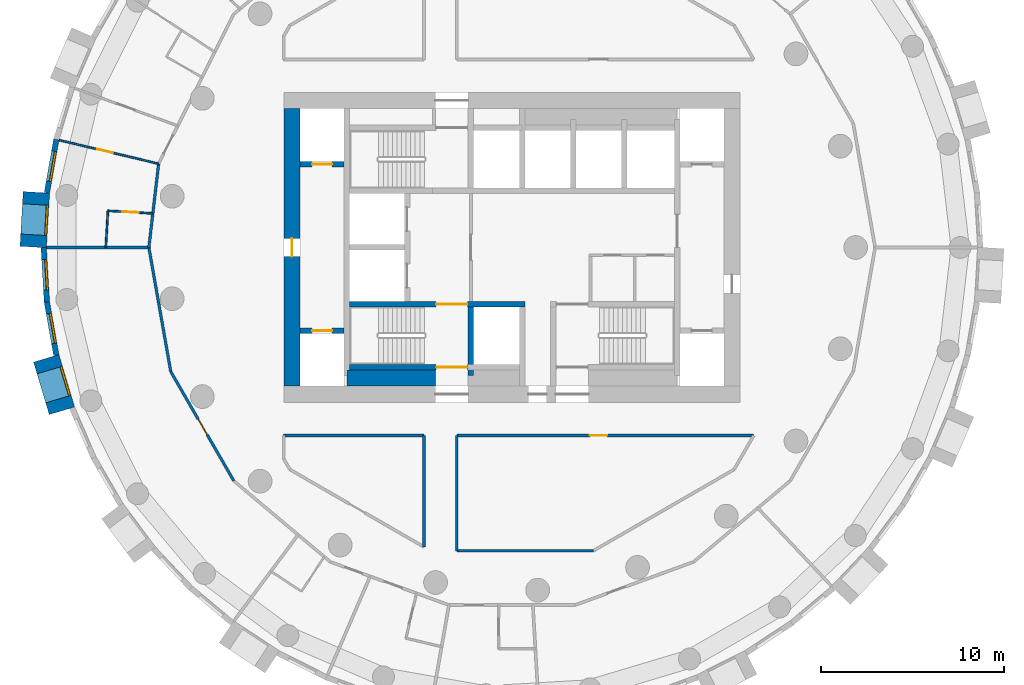
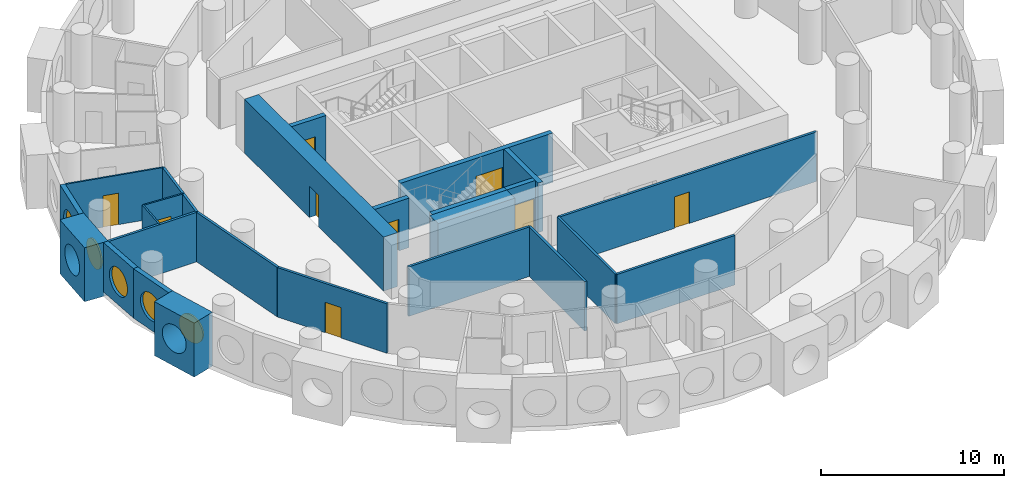
# One storey, part 3 of 9: 25 walls, 9 doors, 5 windows, 14 openings.
"""IFC4 building model written with IfcOpenShell, lengths in metres."""

from ifc_helpers import new_model, si_unit, direction, frame, frame_2d, origin, origin_2d, place, context, subcontext, project, spatial, rectangle, circle, extrude, material, layer, layer_set, type_object, element, fill, save


model = new_model("IFC4")

# Units and contexts
model_context = context("Model", 3, precision=1e-05, world=origin(), true_north=direction((0.0, 1.0)))
body_context = subcontext(model_context, "Body", "Model", "MODEL_VIEW")
ifc_project = project(units=[si_unit("LENGTHUNIT", "METRE"), si_unit("AREAUNIT", "SQUARE_METRE"), si_unit("VOLUMEUNIT", "CUBIC_METRE"), si_unit("PLANEANGLEUNIT", "RADIAN"), si_unit("MASSUNIT", "GRAM", prefix="KILO")], contexts=[model_context])

# Site, building, storey
site_placement = place(None, origin())
site = spatial("IfcSite", under=ifc_project, at=site_placement, CompositionType="ELEMENT")
building_placement = place(site_placement, origin())
building = spatial("IfcBuilding", under=site, at=building_placement, Name="Tracery Tower", CompositionType="ELEMENT")
storey_placement = place(building_placement, frame((0.0, 0.0, 187.199951171875)))
storey = spatial("IfcBuildingStorey", under=building, at=storey_placement, Name="L48", CompositionType="ELEMENT", Elevation=187.199951171875)

# Wall
ifc_material_1 = material(Name="Concrete C50/60", Category="concrete")
ifc_layer_1 = layer(ifc_material_1, 0.89990234375)
ifc_layer_set_1 = layer_set([ifc_layer_1], Name="Core strip wall 900 C50")
wall_type_1 = type_object("IfcWallType", Name="Core strip wall 900 C50", PredefinedType="SOLIDWALL", material=ifc_layer_set_1)
wall_1_placement = place(storey_placement, frame((-9.050048828125, -7.14990234375, 0.0), z_axis=(0.0, 0.0, 1.0), x_axis=(1.0, 0.0, 0.0)))
element("IfcWall", 1, at=wall_1_placement, inside=storey, type_object=wall_type_1, Name="L48 F thick S W", PredefinedType="SOLIDWALL", context=body_context, shape_type="SweptSolid", body=[
    extrude(rectangle(XDim=4.85009765625, YDim=0.89990234375, at=frame_2d((2.425048828125, 0.0))), origin(), (0.0, 0.0, 1.0), 3.300048828125),
])

# Wall, opening, door
ifc_material_2 = material(Name="Concrete C50/60", Category="concrete")
ifc_layer_2 = layer(ifc_material_2, 0.89990234375)
ifc_layer_set_2 = layer_set([ifc_layer_2], Name="Core wall 900 C50")
wall_type_2 = type_object("IfcWallType", Name="Core wall 900 C50", PredefinedType="SOLIDWALL", material=ifc_layer_set_2)
wall_2_placement = place(storey_placement, frame((-12.050048828125, -7.60009765625, 0.0), z_axis=(0.0, 0.0, 1.0), x_axis=(0.0, 1.0, 0.0)))
wall_2 = element("IfcWall", 2, at=wall_2_placement, inside=storey, type_object=wall_type_2, Name="L48 outer W", PredefinedType="SOLIDWALL", context=body_context, shape_type="SweptSolid", body=[
    extrude(rectangle(XDim=15.2001953125, YDim=0.89990234375, at=frame_2d((7.60009765625, 0.0))), origin(), (0.0, 0.0, 1.0), 3.60009765625),
])
opening_1_placement = place(wall_2_placement, frame((7.10009765625, 0.0, 0.0)))
opening_1 = element("IfcOpeningElement", 3, at=opening_1_placement, cuts=wall_2, Name="Opening KD18", PredefinedType="OPENING", context=body_context, shape_type="SweptSolid", body=[
    extrude(rectangle(XDim=1.0, YDim=2.10009765625, at=frame_2d((0.5, 1.050048828125))), frame((0.0, 0.449951171875, 0.0), z_axis=(0.0, -1.0, 0.0), x_axis=(1.0, 0.0, 0.0)), (0.0, 0.0, 1.0), 0.89990234375),
])
ifc_material_3 = material(Name="Steel fire door", Category="steel")
door_type_1 = type_object("IfcDoorType", Name="Core exit door 1000", OperationType="NOTDEFINED", PredefinedType="DOOR", material=ifc_material_3)
door_1_placement = place(opening_1_placement, origin())
door_1 = element("IfcDoor", 4, at=door_1_placement, inside=storey, type_object=door_type_1, Name="Core exit door", OperationType="DOUBLE_DOOR_SINGLE_SWING", OverallHeight=2.10009765625, OverallWidth=1.0, PredefinedType="DOOR", context=body_context, shape_type="SweptSolid", body=[
    extrude(rectangle(XDim=1.0, YDim=2.10009765625, at=frame_2d((0.5, 1.050048828125))), frame((0.0, 0.02490234375, 0.0), z_axis=(0.0, -1.0, 0.0), x_axis=(1.0, 0.0, 0.0)), (0.0, 0.0, 1.0), 0.050048828125),
])
fill(opening_1, door_1)

# Wall, opening, window
ifc_material_4 = material(Name="Precast concrete C50/60", Category="concrete")
ifc_layer_3 = layer(ifc_material_4, 1.449951171875)
ifc_layer_set_3 = layer_set([ifc_layer_3], Name="Deep-set bay unit 3000 x 3600, slab edge 300")
wall_type_3 = type_object("IfcWallType", Name="Deep-set bay unit 3000 x 3600, slab edge 300", PredefinedType="ELEMENTEDWALL", material=ifc_layer_set_3)
wall_3_placement = place(storey_placement, frame((-26.047607421875, 3.01953125, -0.300048828125), z_axis=(0.0, 0.0, 1.0), x_axis=(-0.058106596105, -0.998310384344, 0.0)))
wall_3 = element("IfcWall", 5, at=wall_3_placement, inside=storey, type_object=wall_type_3, Name="Deep-set bay unit 27 at L48", PredefinedType="ELEMENTEDWALL", context=body_context, shape_type="SweptSolid", body=[
    extrude(rectangle(XDim=3.0, YDim=1.449951171875, at=frame_2d((1.5, 0.0))), origin(), (0.0, 0.0, 1.0), 3.60009765625),
])
opening_2_placement = place(wall_3_placement, frame((1.5, 0.0, 1.85009765625)))
opening_2 = element("IfcOpeningElement", 6, at=opening_2_placement, cuts=wall_3, Name="Opening WN1", PredefinedType="OPENING", context=body_context, shape_type="SweptSolid", body=[
    extrude(circle(Radius=0.9000244140625, at=origin_2d()), frame((0.0, 0.73486328125, 0.0), z_axis=(0.0, -1.0, 0.0), x_axis=(1.0, 0.0, 0.0)), (0.0, 0.0, 1.0), 1.469970703125),
])
ifc_material_5 = material(Name="Aluminium frame with tinted double glazing", Category="aluminium")
window_type = type_object("IfcWindowType", Name="Round window 1800", PartitioningType="SINGLE_PANEL", PredefinedType="WINDOW", material=ifc_material_5)
window_1_placement = place(opening_2_placement, origin())
window_1 = element("IfcWindow", 7, at=window_1_placement, inside=storey, type_object=window_type, Name="Round window 27 at L48", OverallHeight=1.800048828125, OverallWidth=1.800048828125, PartitioningType="SINGLE_PANEL", PredefinedType="WINDOW", context=body_context, shape_type="SweptSolid", body=[
    extrude(circle(Radius=0.9000244140625, at=origin_2d()), frame((0.0, 0.69482421875, 0.0), z_axis=(0.0, -1.0, 0.0), x_axis=(1.0, 0.0, 0.0)), (0.0, 0.0, 1.0), 0.10009765625),
])
fill(opening_2, window_1)

wall_4_placement = place(storey_placement, frame((-25.509521484375, -6.0712890625, -0.300048828125), z_axis=(0.0, 0.0, 1.0), x_axis=(0.286780420304, -0.957996341606, 0.0)))
wall_4 = element("IfcWall", 8, at=wall_4_placement, inside=storey, type_object=wall_type_3, Name="Deep-set bay unit 30 at L48", PredefinedType="ELEMENTEDWALL", context=body_context, shape_type="SweptSolid", body=[
    extrude(rectangle(XDim=3.0, YDim=1.449951171875, at=frame_2d((1.5, 0.0))), origin(), (0.0, 0.0, 1.0), 3.60009765625),
])
opening_3_placement = place(wall_4_placement, frame((1.5, 0.0, 1.85009765625)))
opening_3 = element("IfcOpeningElement", 9, at=opening_3_placement, cuts=wall_4, Name="Opening WN1", PredefinedType="OPENING", context=body_context, shape_type="SweptSolid", body=[
    extrude(circle(Radius=0.9000244140625, at=origin_2d()), frame((0.0, 0.73486328125, 0.0), z_axis=(0.0, -1.0, 0.0), x_axis=(1.0, 0.0, 0.0)), (0.0, 0.0, 1.0), 1.469970703125),
])
window_2_placement = place(opening_3_placement, origin())
window_2 = element("IfcWindow", 10, at=window_2_placement, inside=storey, type_object=window_type, Name="Round window 30 at L48", OverallHeight=1.800048828125, OverallWidth=1.800048828125, PartitioningType="SINGLE_PANEL", PredefinedType="WINDOW", context=body_context, shape_type="SweptSolid", body=[
    extrude(circle(Radius=0.9000244140625, at=origin_2d()), frame((0.0, 0.69482421875, 0.0), z_axis=(0.0, -1.0, 0.0), x_axis=(1.0, 0.0, 0.0)), (0.0, 0.0, 1.0), 0.10009765625),
])
fill(opening_3, window_2)

ifc_material_6 = material(Name="Precast concrete C50/60", Category="concrete")
ifc_layer_4 = layer(ifc_material_6, 0.300048828125)
ifc_layer_set_4 = layer_set([ifc_layer_4], Name="Facade panel 3000 x 3300")
wall_type_4 = type_object("IfcWallType", Name="Facade panel 3000 x 3300", PredefinedType="SOLIDWALL", material=ifc_layer_set_4)
wall_5_placement = place(storey_placement, frame((-24.9560546875, 5.914794921875, 0.0), z_axis=(0.0, 0.0, 1.0), x_axis=(-0.173686952598, -0.984800915159, 0.0)))
wall_5 = element("IfcWall", 11, at=wall_5_placement, inside=storey, type_object=wall_type_4, Name="Facade panel 26 at L48", PredefinedType="SOLIDWALL", context=body_context, shape_type="SweptSolid", body=[
    extrude(rectangle(XDim=2.972900390625, YDim=0.300048828125, at=frame_2d((1.486328125, 0.0))), origin(), (0.0, 0.0, 1.0), 3.300048828125),
])
opening_4_placement = place(wall_5_placement, frame((1.486328125, 0.0, 1.5498046875)))
opening_4 = element("IfcOpeningElement", 12, at=opening_4_placement, cuts=wall_5, Name="Opening WN1", PredefinedType="OPENING", context=body_context, shape_type="SweptSolid", body=[
    extrude(circle(Radius=0.9000244140625, at=origin_2d()), frame((0.0, 0.159912109375, 0.0), z_axis=(0.0, -1.0, 0.0), x_axis=(1.0, 0.0, 0.0)), (0.0, 0.0, 1.0), 0.320068359375),
])
window_3_placement = place(opening_4_placement, origin())
window_3 = element("IfcWindow", 13, at=window_3_placement, inside=storey, type_object=window_type, Name="Round window 26 at L48", OverallHeight=1.800048828125, OverallWidth=1.800048828125, PartitioningType="SINGLE_PANEL", PredefinedType="WINDOW", context=body_context, shape_type="SweptSolid", body=[
    extrude(circle(Radius=0.9000244140625, at=origin_2d()), frame((0.0, 0.1201171875, 0.0), z_axis=(0.0, -1.0, 0.0), x_axis=(1.0, 0.0, 0.0)), (0.0, 0.0, 1.0), 0.10009765625),
])
fill(opening_4, window_3)

wall_6_placement = place(storey_placement, frame((-25.64697265625, -0.009521484375, 0.0), z_axis=(0.0, 0.0, 1.0), x_axis=(0.058139540521, -0.998308466271, 0.0)))
wall_6 = element("IfcWall", 14, at=wall_6_placement, inside=storey, type_object=wall_type_4, Name="Facade panel 28 at L48", PredefinedType="SOLIDWALL", context=body_context, shape_type="SweptSolid", body=[
    extrude(rectangle(XDim=2.97314453125, YDim=0.300048828125, at=frame_2d((1.486572265625, 0.0))), origin(), (0.0, 0.0, 1.0), 3.300048828125),
])
opening_5_placement = place(wall_6_placement, frame((1.486328125, 0.0, 1.5498046875)))
opening_5 = element("IfcOpeningElement", 15, at=opening_5_placement, cuts=wall_6, Name="Opening WN1", PredefinedType="OPENING", context=body_context, shape_type="SweptSolid", body=[
    extrude(circle(Radius=0.9000244140625, at=origin_2d()), frame((0.0, 0.159912109375, 0.0), z_axis=(0.0, -1.0, 0.0), x_axis=(1.0, 0.0, 0.0)), (0.0, 0.0, 1.0), 0.320068359375),
])
window_4_placement = place(opening_5_placement, origin())
window_4 = element("IfcWindow", 16, at=window_4_placement, inside=storey, type_object=window_type, Name="Round window 28 at L48", OverallHeight=1.800048828125, OverallWidth=1.800048828125, PartitioningType="SINGLE_PANEL", PredefinedType="WINDOW", context=body_context, shape_type="SweptSolid", body=[
    extrude(circle(Radius=0.9000244140625, at=origin_2d()), frame((0.0, 0.1201171875, 0.0), z_axis=(0.0, -1.0, 0.0), x_axis=(1.0, 0.0, 0.0)), (0.0, 0.0, 1.0), 0.10009765625),
])
fill(opening_5, window_4)

wall_7_placement = place(storey_placement, frame((-25.47412109375, -2.9775390625, 0.0), z_axis=(0.0, 0.0, 1.0), x_axis=(0.173686952598, -0.984800915159, 0.0)))
wall_7 = element("IfcWall", 17, at=wall_7_placement, inside=storey, type_object=wall_type_4, Name="Facade panel 29 at L48", PredefinedType="SOLIDWALL", context=body_context, shape_type="SweptSolid", body=[
    extrude(rectangle(XDim=2.972900390625, YDim=0.300048828125, at=frame_2d((1.486328125, 0.0))), origin(), (0.0, 0.0, 1.0), 3.300048828125),
])
opening_6_placement = place(wall_7_placement, frame((1.486328125, 0.0, 1.5498046875)))
opening_6 = element("IfcOpeningElement", 18, at=opening_6_placement, cuts=wall_7, Name="Opening WN1", PredefinedType="OPENING", context=body_context, shape_type="SweptSolid", body=[
    extrude(circle(Radius=0.9000244140625, at=origin_2d()), frame((0.0, 0.159912109375, 0.0), z_axis=(0.0, -1.0, 0.0), x_axis=(1.0, 0.0, 0.0)), (0.0, 0.0, 1.0), 0.320068359375),
])
window_5_placement = place(opening_6_placement, origin())
window_5 = element("IfcWindow", 19, at=window_5_placement, inside=storey, type_object=window_type, Name="Round window 29 at L48", OverallHeight=1.800048828125, OverallWidth=1.800048828125, PartitioningType="SINGLE_PANEL", PredefinedType="WINDOW", context=body_context, shape_type="SweptSolid", body=[
    extrude(circle(Radius=0.9000244140625, at=origin_2d()), frame((0.0, 0.1201171875, 0.0), z_axis=(0.0, -1.0, 0.0), x_axis=(1.0, 0.0, 0.0)), (0.0, 0.0, 1.0), 0.10009765625),
])
fill(opening_6, window_5)

# Wall, opening, door
ifc_material_7 = material(Name="Plasterboard on steel studs", Category="steel")
ifc_layer_5 = layer(ifc_material_7, 0.10009765625)
ifc_layer_set_5 = layer_set([ifc_layer_5], Name="Partition 100 stud")
wall_type_5 = type_object("IfcWallType", Name="Partition 100 stud", PredefinedType="PARTITIONING", material=ifc_layer_set_5)
wall_8_placement = place(storey_placement, frame((-24.81005859375, 5.8798828125, 0.0), z_axis=(0.0, 0.0, 1.0), x_axis=(0.973029918752, -0.230678948353, 0.0)))
wall_8 = element("IfcWall", 20, at=wall_8_placement, inside=storey, type_object=wall_type_5, Name="Stud partition RB6-050", PredefinedType="PARTITIONING", context=body_context, shape_type="SweptSolid", body=[
    extrude(rectangle(XDim=5.609375, YDim=0.10009765625, at=frame_2d((2.8046875, 0.0))), origin(), (0.0, 0.0, 1.0), 3.300048828125),
])
opening_7_placement = place(wall_8_placement, frame((2.139404296875, 0.0, 0.0)))
opening_7 = element("IfcOpeningElement", 21, at=opening_7_placement, cuts=wall_8, Name="Opening RB6-15", PredefinedType="OPENING", context=body_context, shape_type="SweptSolid", body=[
    extrude(rectangle(XDim=0.89990234375, YDim=2.10009765625, at=frame_2d((0.449951171875, 1.050048828125))), frame((0.0, 0.050048828125, 0.0), z_axis=(0.0, -1.0, 0.0), x_axis=(1.0, 0.0, 0.0)), (0.0, 0.0, 1.0), 0.10009765625),
])
ifc_material_8 = material(Name="Timber door leaf", Category="wood")
door_type_2 = type_object("IfcDoorType", Name="Door bedroom 900", OperationType="NOTDEFINED", PredefinedType="DOOR", material=ifc_material_8)
door_2_placement = place(opening_7_placement, origin())
door_2 = element("IfcDoor", 22, at=door_2_placement, inside=storey, type_object=door_type_2, Name="Bedroom door RB6-15", OperationType="SINGLE_SWING_RIGHT", OverallHeight=2.10009765625, OverallWidth=0.89990234375, PredefinedType="DOOR", context=body_context, shape_type="SweptSolid", body=[
    extrude(rectangle(XDim=0.89990234375, YDim=2.10009765625, at=frame_2d((0.449951171875, 1.050048828125))), frame((0.0, 0.02490234375, 0.0), z_axis=(0.0, -1.0, 0.0), x_axis=(1.0, 0.0, 0.0)), (0.0, 0.0, 1.0), 0.050048828125),
])
fill(opening_7, door_2)

ifc_material_9 = material(Name="Plasterboard on steel studs", Category="steel")
ifc_layer_6 = layer(ifc_material_9, 0.10009765625)
ifc_layer_set_6 = layer_set([ifc_layer_6], Name="Partition 100 wet wall")
wall_type_6 = type_object("IfcWallType", Name="Partition 100 wet wall", PredefinedType="PARTITIONING", material=ifc_layer_set_6)
wall_9_placement = place(storey_placement, frame((-22.1298828125, 2.008056640625, 0.0), z_axis=(0.0, 0.0, 1.0), x_axis=(0.998290052933, -0.058454856216, 0.0)))
wall_9 = element("IfcWall", 23, at=wall_9_placement, inside=storey, type_object=wall_type_6, Name="Wet wall RB6-054", PredefinedType="PARTITIONING", context=body_context, shape_type="SweptSolid", body=[
    extrude(rectangle(XDim=2.464111328125, YDim=0.10009765625, at=frame_2d((1.23193359375, 0.0))), origin(), (0.0, 0.0, 1.0), 3.300048828125),
])
opening_8_placement = place(wall_9_placement, frame((0.7822265625, 0.0, 0.0)))
opening_8 = element("IfcOpeningElement", 24, at=opening_8_placement, cuts=wall_9, Name="Opening RB6-16", PredefinedType="OPENING", context=body_context, shape_type="SweptSolid", body=[
    extrude(rectangle(XDim=0.89990234375, YDim=2.0400390625, at=frame_2d((0.449951171875, 1.02001953125))), frame((0.0, 0.050048828125, 0.0), z_axis=(0.0, -1.0, 0.0), x_axis=(1.0, 0.0, 0.0)), (0.0, 0.0, 1.0), 0.10009765625),
])
ifc_material_10 = material(Name="Timber door leaf", Category="wood")
door_type_3 = type_object("IfcDoorType", Name="Door en-suite 900", OperationType="NOTDEFINED", PredefinedType="DOOR", material=ifc_material_10)
door_3_placement = place(opening_8_placement, origin())
door_3 = element("IfcDoor", 25, at=door_3_placement, inside=storey, type_object=door_type_3, Name="En-suite door RB6-16", OperationType="SINGLE_SWING_LEFT", OverallHeight=2.0400390625, OverallWidth=0.89990234375, PredefinedType="DOOR", context=body_context, shape_type="SweptSolid", body=[
    extrude(rectangle(XDim=0.89990234375, YDim=2.0400390625, at=frame_2d((0.449951171875, 1.02001953125))), frame((0.0, 0.02490234375, 0.0), z_axis=(0.0, -1.0, 0.0), x_axis=(1.0, 0.0, 0.0)), (0.0, 0.0, 1.0), 0.050048828125),
])
fill(opening_8, door_3)

# Walls
wall_10_placement = place(storey_placement, frame((-22.2470703125, 0.0, 0.0), z_axis=(0.0, 0.0, 1.0), x_axis=(0.058259538708, 0.998301470574, 0.0)))
element("IfcWall", 26, at=wall_10_placement, inside=storey, type_object=wall_type_6, Name="Wet wall RB6-055", PredefinedType="PARTITIONING", context=body_context, shape_type="SweptSolid", body=[
    extrude(rectangle(XDim=2.011474609375, YDim=0.10009765625, at=frame_2d((1.005859375, 0.0))), origin(), (0.0, 0.0, 1.0), 3.300048828125),
])
ifc_material_11 = material(Name="Plasterboard on steel studs", Category="steel")
ifc_layer_7 = layer(ifc_material_11, 0.14990234375)
ifc_layer_set_7 = layer_set([ifc_layer_7], Name="Partition 150 acoustic unit wall")
wall_type_7 = type_object("IfcWallType", Name="Partition 150 acoustic unit wall", PredefinedType="PARTITIONING", material=ifc_layer_set_7)
wall_11_placement = place(storey_placement, frame((-25.4970703125, 0.0, 0.0), z_axis=(0.0, 0.0, 1.0), x_axis=(1.0, 0.0, 0.0)))
element("IfcWall", 27, at=wall_11_placement, inside=storey, type_object=wall_type_7, Name="Unit wall RB6-056", PredefinedType="PARTITIONING", context=body_context, shape_type="SweptSolid", body=[
    extrude(rectangle(XDim=5.609130859375, YDim=0.14990234375, at=frame_2d((2.8046875, 0.0))), origin(), (0.0, 0.0, 1.0), 3.300048828125),
])
ifc_material_12 = material(Name="Plasterboard on steel studs", Category="steel")
ifc_layer_8 = layer(ifc_material_12, 0.14990234375)
ifc_layer_set_8 = layer_set([ifc_layer_8], Name="Partition 150 corridor wall")
wall_type_8 = type_object("IfcWallType", Name="Partition 150 corridor wall", PredefinedType="PARTITIONING", material=ifc_layer_set_8)
wall_12_placement = place(storey_placement, frame((-12.50390625, -10.300048828125, 0.0), z_axis=(0.0, 0.0, 1.0), x_axis=(1.0, 0.0, 0.0)))
element("IfcWall", 28, at=wall_12_placement, inside=storey, type_object=wall_type_8, Name="Corridor wall RB6-003", PredefinedType="PARTITIONING", context=body_context, shape_type="SweptSolid", body=[
    extrude(rectangle(XDim=7.68701171875, YDim=0.14990234375, at=frame_2d((3.843505859375, 0.0))), origin(), (0.0, 0.0, 1.0), 3.300048828125),
])

# Wall, opening, door
wall_13_placement = place(storey_placement, frame((-3.02490234375, -10.300048828125, 0.0), z_axis=(0.0, 0.0, 1.0), x_axis=(1.0, 0.0, 0.0)))
wall_13 = element("IfcWall", 29, at=wall_13_placement, inside=storey, type_object=wall_type_8, Name="Corridor wall RB6-004", PredefinedType="PARTITIONING", context=body_context, shape_type="SweptSolid", body=[
    extrude(rectangle(XDim=16.261962890625, YDim=0.14990234375, at=frame_2d((8.130859375, 0.0))), origin(), (0.0, 0.0, 1.0), 3.300048828125),
])
opening_9_placement = place(wall_13_placement, frame((7.287109375, 0.0, 0.0)))
opening_9 = element("IfcOpeningElement", 30, at=opening_9_placement, cuts=wall_13, Name="Opening RB6-04", PredefinedType="OPENING", context=body_context, shape_type="SweptSolid", body=[
    extrude(rectangle(XDim=0.949951171875, YDim=2.10009765625, at=frame_2d((0.47509765625, 1.050048828125))), frame((0.0, 0.074951171875, 0.0), z_axis=(0.0, -1.0, 0.0), x_axis=(1.0, 0.0, 0.0)), (0.0, 0.0, 1.0), 0.14990234375),
])
ifc_material_13 = material(Name="Timber door leaf", Category="wood")
door_type_4 = type_object("IfcDoorType", Name="Door store 950", OperationType="NOTDEFINED", PredefinedType="DOOR", material=ifc_material_13)
door_4_placement = place(opening_9_placement, origin())
door_4 = element("IfcDoor", 31, at=door_4_placement, inside=storey, type_object=door_type_4, Name="Store door RB6-04", OperationType="SINGLE_SWING_RIGHT", OverallHeight=2.10009765625, OverallWidth=0.949951171875, PredefinedType="DOOR", context=body_context, shape_type="SweptSolid", body=[
    extrude(rectangle(XDim=0.949951171875, YDim=2.10009765625, at=frame_2d((0.47509765625, 1.050048828125))), frame((0.0, 0.02490234375, 0.0), z_axis=(0.0, -1.0, 0.0), x_axis=(1.0, 0.0, 0.0)), (0.0, 0.0, 1.0), 0.050048828125),
])
fill(opening_9, door_4)

# Wall
wall_14_placement = place(storey_placement, frame((-19.888671875, 0.0, 0.0), z_axis=(0.0, 0.0, 1.0), x_axis=(0.116221510549, 0.993223318537, 0.0)))
element("IfcWall", 32, at=wall_14_placement, inside=storey, type_object=wall_type_8, Name="Corridor wall RB6-027", PredefinedType="PARTITIONING", context=body_context, shape_type="SweptSolid", body=[
    extrude(rectangle(XDim=4.6171875, YDim=0.14990234375, at=frame_2d((2.30859375, 0.0))), origin(), (0.0, 0.0, 1.0), 3.300048828125),
])

# Wall, opening, door
wall_15_placement = place(storey_placement, frame((-18.68798828125, -6.802001953125, 0.0), z_axis=(0.0, 0.0, 1.0), x_axis=(0.499914202267, -0.866074933462, 0.0)))
wall_15 = element("IfcWall", 33, at=wall_15_placement, inside=storey, type_object=wall_type_8, Name="Corridor wall RB6-029", PredefinedType="PARTITIONING", context=body_context, shape_type="SweptSolid", body=[
    extrude(rectangle(XDim=6.906982421875, YDim=0.14990234375, at=frame_2d((3.45361328125, 0.0))), origin(), (0.0, 0.0, 1.0), 3.300048828125),
])
opening_10_placement = place(wall_15_placement, frame((3.003173828125, 0.0, 0.0)))
opening_10 = element("IfcOpeningElement", 34, at=opening_10_placement, cuts=wall_15, Name="Opening RB6-17", PredefinedType="OPENING", context=body_context, shape_type="SweptSolid", body=[
    extrude(rectangle(XDim=1.0, YDim=2.0400390625, at=frame_2d((0.5, 1.02001953125))), frame((0.0, 0.074951171875, 0.0), z_axis=(0.0, -1.0, 0.0), x_axis=(1.0, 0.0, 0.0)), (0.0, 0.0, 1.0), 0.14990234375),
])
ifc_material_14 = material(Name="Timber door leaf", Category="wood")
door_type_5 = type_object("IfcDoorType", Name="Door communal room 1000", OperationType="NOTDEFINED", PredefinedType="DOOR", material=ifc_material_14)
door_5_placement = place(opening_10_placement, origin())
door_5 = element("IfcDoor", 35, at=door_5_placement, inside=storey, type_object=door_type_5, Name="Communal room door RB6-17", OperationType="SINGLE_SWING_LEFT", OverallHeight=2.0400390625, OverallWidth=1.0, PredefinedType="DOOR", context=body_context, shape_type="SweptSolid", body=[
    extrude(rectangle(XDim=1.0, YDim=2.0400390625, at=frame_2d((0.5, 1.02001953125))), frame((0.0, 0.02490234375, 0.0), z_axis=(0.0, -1.0, 0.0), x_axis=(1.0, 0.0, 0.0)), (0.0, 0.0, 1.0), 0.050048828125),
])
fill(opening_10, door_5)

# Walls
wall_16_placement = place(storey_placement, frame((-19.887939453125, 0.0, 0.0), z_axis=(0.0, 0.0, 1.0), x_axis=(0.173728873845, -0.98479352069, 0.0)))
element("IfcWall", 36, at=wall_16_placement, inside=storey, type_object=wall_type_8, Name="Corridor wall RB6-030", PredefinedType="PARTITIONING", context=body_context, shape_type="SweptSolid", body=[
    extrude(rectangle(XDim=6.906982421875, YDim=0.14990234375, at=frame_2d((3.45361328125, 0.0))), origin(), (0.0, 0.0, 1.0), 3.300048828125),
])
wall_17_placement = place(storey_placement, frame((-4.821044921875, -16.40087890625, 0.0), z_axis=(0.0, 0.0, 1.0), x_axis=(0.0, 1.0, 0.0)))
element("IfcWall", 37, at=wall_17_placement, inside=storey, type_object=wall_type_8, Name="Corridor wall RB6-032", PredefinedType="PARTITIONING", context=body_context, shape_type="SweptSolid", body=[
    extrude(rectangle(XDim=6.100830078125, YDim=0.14990234375, at=frame_2d((3.05029296875, 0.0))), origin(), (0.0, 0.0, 1.0), 3.300048828125),
])
wall_18_placement = place(storey_placement, frame((-3.02099609375, -16.614013671875, 0.0), z_axis=(0.0, 0.0, 1.0), x_axis=(0.0, 1.0, 0.0)))
element("IfcWall", 38, at=wall_18_placement, inside=storey, type_object=wall_type_8, Name="Corridor wall RB6-033", PredefinedType="PARTITIONING", context=body_context, shape_type="SweptSolid", body=[
    extrude(rectangle(XDim=6.31396484375, YDim=0.14990234375, at=frame_2d((3.156982421875, 0.0))), origin(), (0.0, 0.0, 1.0), 3.300048828125),
])
wall_19_placement = place(storey_placement, frame((-3.02099609375, -16.614013671875, 0.0), z_axis=(0.0, 0.0, 1.0), x_axis=(1.0, 0.0, 0.0)))
element("IfcWall", 39, at=wall_19_placement, inside=storey, type_object=wall_type_8, Name="Corridor wall RB6-034", PredefinedType="PARTITIONING", context=body_context, shape_type="SweptSolid", body=[
    extrude(rectangle(XDim=7.472900390625, YDim=0.14990234375, at=frame_2d((3.736328125, 0.0))), origin(), (0.0, 0.0, 1.0), 3.300048828125),
])

# Wall, opening, door
ifc_material_15 = material(Name="Concrete C50/60", Category="concrete")
ifc_layer_9 = layer(ifc_material_15, 0.300048828125)
ifc_layer_set_9 = layer_set([ifc_layer_9], Name="Shaft wall 300 C50")
wall_type_9 = type_object("IfcWallType", Name="Shaft wall 300 C50", PredefinedType="SOLIDWALL", material=ifc_layer_set_9)
wall_20_placement = place(storey_placement, frame((-11.60009765625, -4.550048828125, 0.0), z_axis=(0.0, 0.0, 1.0), x_axis=(1.0, 0.0, 0.0)))
wall_20 = element("IfcWall", 40, at=wall_20_placement, inside=storey, type_object=wall_type_9, Name="L48 MR W -4.55", PredefinedType="SOLIDWALL", context=body_context, shape_type="SweptSolid", body=[
    extrude(rectangle(XDim=2.400146484375, YDim=0.300048828125, at=frame_2d((1.2001953125, 0.0))), origin(), (0.0, 0.0, 1.0), 3.300048828125),
])
opening_11_placement = place(wall_20_placement, frame((0.64990234375, 0.0, 0.0)))
opening_11 = element("IfcOpeningElement", 41, at=opening_11_placement, cuts=wall_20, Name="Opening KD50", PredefinedType="OPENING", context=body_context, shape_type="SweptSolid", body=[
    extrude(rectangle(XDim=1.10009765625, YDim=2.10009765625, at=frame_2d((0.550048828125, 1.050048828125))), frame((0.0, 0.14990234375, 0.0), z_axis=(0.0, -1.0, 0.0), x_axis=(1.0, 0.0, 0.0)), (0.0, 0.0, 1.0), 0.300048828125),
])
ifc_material_16 = material(Name="Steel fire door", Category="steel")
door_type_6 = type_object("IfcDoorType", Name="Landing door 1100", OperationType="NOTDEFINED", PredefinedType="DOOR", material=ifc_material_16)
door_6_placement = place(opening_11_placement, origin())
door_6 = element("IfcDoor", 42, at=door_6_placement, inside=storey, type_object=door_type_6, Name="Landing door MR1", OperationType="SLIDING_TO_RIGHT", OverallHeight=2.10009765625, OverallWidth=1.10009765625, PredefinedType="DOOR", context=body_context, shape_type="SweptSolid", body=[
    extrude(rectangle(XDim=1.10009765625, YDim=2.10009765625, at=frame_2d((0.550048828125, 1.050048828125))), frame((0.0, 0.02490234375, 0.0), z_axis=(0.0, -1.0, 0.0), x_axis=(1.0, 0.0, 0.0)), (0.0, 0.0, 1.0), 0.050048828125),
])
fill(opening_11, door_6)

wall_21_placement = place(storey_placement, frame((-11.60009765625, 4.550048828125, 0.0), z_axis=(0.0, 0.0, 1.0), x_axis=(1.0, 0.0, 0.0)))
wall_21 = element("IfcWall", 43, at=wall_21_placement, inside=storey, type_object=wall_type_9, Name="L48 MR W +4.55", PredefinedType="SOLIDWALL", context=body_context, shape_type="SweptSolid", body=[
    extrude(rectangle(XDim=2.400146484375, YDim=0.300048828125, at=frame_2d((1.2001953125, 0.0))), origin(), (0.0, 0.0, 1.0), 3.300048828125),
])
opening_12_placement = place(wall_21_placement, frame((0.64990234375, 0.0, 0.0)))
opening_12 = element("IfcOpeningElement", 44, at=opening_12_placement, cuts=wall_21, Name="Opening KD49", PredefinedType="OPENING", context=body_context, shape_type="SweptSolid", body=[
    extrude(rectangle(XDim=1.10009765625, YDim=2.10009765625, at=frame_2d((0.550048828125, 1.050048828125))), frame((0.0, 0.14990234375, 0.0), z_axis=(0.0, -1.0, 0.0), x_axis=(1.0, 0.0, 0.0)), (0.0, 0.0, 1.0), 0.300048828125),
])
door_7_placement = place(opening_12_placement, origin())
door_7 = element("IfcDoor", 45, at=door_7_placement, inside=storey, type_object=door_type_6, Name="Landing door MR2", OperationType="SLIDING_TO_LEFT", OverallHeight=2.10009765625, OverallWidth=1.10009765625, PredefinedType="DOOR", context=body_context, shape_type="SweptSolid", body=[
    extrude(rectangle(XDim=1.10009765625, YDim=2.10009765625, at=frame_2d((0.550048828125, 1.050048828125))), frame((0.0, 0.02490234375, 0.0), z_axis=(0.0, -1.0, 0.0), x_axis=(1.0, 0.0, 0.0)), (0.0, 0.0, 1.0), 0.050048828125),
])
fill(opening_12, door_7)

ifc_material_17 = material(Name="Concrete C50/60", Category="concrete")
ifc_layer_10 = layer(ifc_material_17, 0.300048828125)
ifc_layer_set_10 = layer_set([ifc_layer_10], Name="Stair wall 300 C50")
wall_type_10 = type_object("IfcWallType", Name="Stair wall 300 C50", PredefinedType="SOLIDWALL", material=ifc_layer_set_10)
wall_22_placement = place(storey_placement, frame((-8.89990234375, -3.10009765625, 0.0), z_axis=(0.0, 0.0, 1.0), x_axis=(1.0, 0.0, 0.0)))
wall_22 = element("IfcWall", 46, at=wall_22_placement, inside=storey, type_object=wall_type_10, Name="L48 row S", PredefinedType="SOLIDWALL", context=body_context, shape_type="SweptSolid", body=[
    extrude(rectangle(XDim=9.599853515625, YDim=0.300048828125, at=frame_2d((4.7998046875, 0.0))), origin(), (0.0, 0.0, 1.0), 3.300048828125),
])
opening_13_placement = place(wall_22_placement, frame((4.75, 0.0, 0.0)))
opening_13 = element("IfcOpeningElement", 47, at=opening_13_placement, cuts=wall_22, Name="Opening KD3", PredefinedType="OPENING", context=body_context, shape_type="SweptSolid", body=[
    extrude(rectangle(XDim=1.699951171875, YDim=2.10009765625, at=frame_2d((0.85009765625, 1.050048828125))), frame((0.0, 0.14990234375, 0.0), z_axis=(0.0, -1.0, 0.0), x_axis=(1.0, 0.0, 0.0)), (0.0, 0.0, 1.0), 0.300048828125),
])
ifc_material_18 = material(Name="Steel fire door", Category="steel")
door_type_7 = type_object("IfcDoorType", Name="Core stair door 1700 double", OperationType="NOTDEFINED", PredefinedType="DOOR", material=ifc_material_18)
door_8_placement = place(opening_13_placement, origin())
door_8 = element("IfcDoor", 48, at=door_8_placement, inside=storey, type_object=door_type_7, Name="Stair door ST1", OperationType="DOUBLE_DOOR_SINGLE_SWING", OverallHeight=2.10009765625, OverallWidth=1.699951171875, PredefinedType="DOOR", context=body_context, shape_type="SweptSolid", body=[
    extrude(rectangle(XDim=1.699951171875, YDim=2.10009765625, at=frame_2d((0.85009765625, 1.050048828125))), frame((0.0, 0.02490234375, 0.0), z_axis=(0.0, -1.0, 0.0), x_axis=(1.0, 0.0, 0.0)), (0.0, 0.0, 1.0), 0.050048828125),
])
fill(opening_13, door_8)

# Walls
wall_23_placement = place(storey_placement, frame((-2.25, -7.0, 0.0), z_axis=(0.0, 0.0, 1.0), x_axis=(0.0, 1.0, 0.0)))
element("IfcWall", 49, at=wall_23_placement, inside=storey, type_object=wall_type_10, Name="L48 ST1 E", PredefinedType="SOLIDWALL", context=body_context, shape_type="SweptSolid", body=[
    extrude(rectangle(XDim=3.75, YDim=0.300048828125, at=frame_2d((1.875, 0.0))), origin(), (0.0, 0.0, 1.0), 3.300048828125),
])
wall_24_placement = place(storey_placement, frame((-8.89990234375, -6.550048828125, 0.0), z_axis=(0.0, 0.0, 1.0), x_axis=(1.0, 0.0, 0.0)))
element("IfcWall", 50, at=wall_24_placement, inside=storey, type_object=wall_type_10, Name="L48 F stair strip S W", PredefinedType="SOLIDWALL", context=body_context, shape_type="SweptSolid", body=[
    extrude(rectangle(XDim=4.699951171875, YDim=0.300048828125, at=frame_2d((2.35009765625, 0.0))), origin(), (0.0, 0.0, 1.0), 3.300048828125),
])

# Wall, opening, door
wall_25_placement = place(storey_placement, frame((-4.199951171875, -6.550048828125, 0.0), z_axis=(0.0, 0.0, 1.0), x_axis=(1.0, 0.0, 0.0)))
wall_25 = element("IfcWall", 51, at=wall_25_placement, inside=storey, type_object=wall_type_10, Name="L48 F stair S W", PredefinedType="SOLIDWALL", context=body_context, shape_type="SweptSolid", body=[
    extrude(rectangle(XDim=1.800048828125, YDim=0.300048828125, at=frame_2d((0.89990234375, 0.0))), origin(), (0.0, 0.0, 1.0), 3.300048828125),
])
opening_14_placement = place(wall_25_placement, frame((0.050048828125, 0.0, 0.0)))
opening_14 = element("IfcOpeningElement", 52, at=opening_14_placement, cuts=wall_25, Name="Opening KD3", PredefinedType="OPENING", context=body_context, shape_type="SweptSolid", body=[
    extrude(rectangle(XDim=1.699951171875, YDim=2.10009765625, at=frame_2d((0.85009765625, 1.050048828125))), frame((0.0, 0.14990234375, 0.0), z_axis=(0.0, -1.0, 0.0), x_axis=(1.0, 0.0, 0.0)), (0.0, 0.0, 1.0), 0.300048828125),
])
door_9_placement = place(opening_14_placement, origin())
door_9 = element("IfcDoor", 53, at=door_9_placement, inside=storey, type_object=door_type_7, Name="Stair door vest", OperationType="DOUBLE_DOOR_SINGLE_SWING", OverallHeight=2.10009765625, OverallWidth=1.699951171875, PredefinedType="DOOR", context=body_context, shape_type="SweptSolid", body=[
    extrude(rectangle(XDim=1.699951171875, YDim=2.10009765625, at=frame_2d((0.85009765625, 1.050048828125))), frame((0.0, 0.02490234375, 0.0), z_axis=(0.0, -1.0, 0.0), x_axis=(1.0, 0.0, 0.0)), (0.0, 0.0, 1.0), 0.050048828125),
])
fill(opening_14, door_9)

save(model, "model.ifc")
